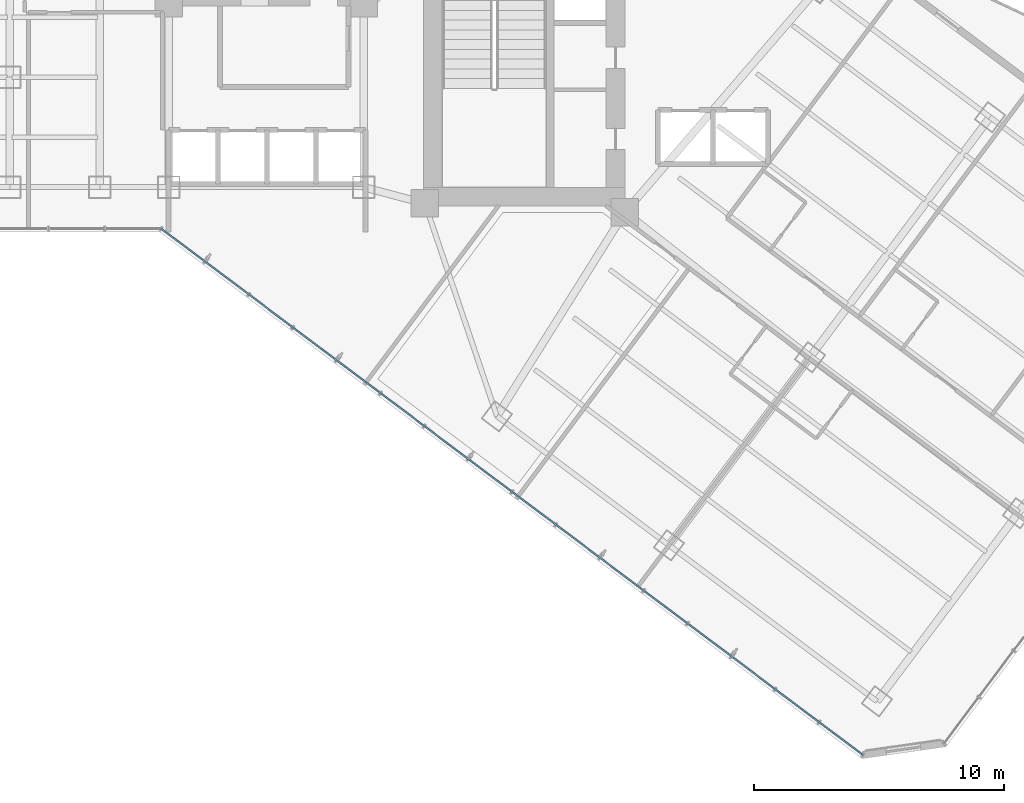
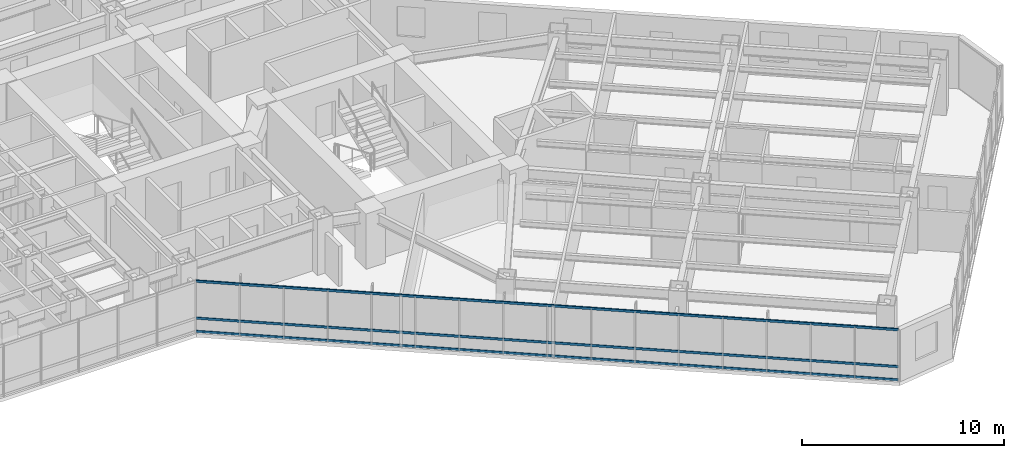
# One storey, part 3 of 36: 3 members, 1 element without a shape of its own.
"""IFC4 building model written with IfcOpenShell, lengths in metres."""

from ifc_helpers import new_model, si_unit, direction, frame, origin, origin_2d, place, context, subcontext, project, spatial, hollow_rectangle, extrude, material, layer, layer_set, material_profile, profile_set, type_object, element, aggregate, save


model = new_model("IFC4")

# Units and contexts
model_context = context("Model", 3, precision=1e-05, world=origin(), true_north=direction((0.0, 1.0)))
body_context = subcontext(model_context, "Body", "Model", "MODEL_VIEW")
ifc_project = project(units=[si_unit("LENGTHUNIT", "METRE"), si_unit("AREAUNIT", "SQUARE_METRE"), si_unit("VOLUMEUNIT", "CUBIC_METRE"), si_unit("PLANEANGLEUNIT", "RADIAN"), si_unit("MASSUNIT", "GRAM", prefix="KILO")], contexts=[model_context])

# Site, building, storey
site_placement = place(None, origin())
site = spatial("IfcSite", under=ifc_project, at=site_placement, CompositionType="ELEMENT")
building_placement = place(site_placement, origin())
building = spatial("IfcBuilding", under=site, at=building_placement, Name="Hatsunagi Terrace Concourse", CompositionType="ELEMENT")
storey_placement = place(building_placement, frame((0.0, 0.0, 84.64990234375)))
storey = spatial("IfcBuildingStorey", under=building, at=storey_placement, Name="L22", CompositionType="ELEMENT", Elevation=84.64990234375)

# Curtain wall, members
ifc_material_1 = material(Name="Anodised Aluminium Alloy 6063-T5", Category="aluminium")
ifc_layer = layer(ifc_material_1, 0.199951171875)
ifc_layer_set = layer_set([ifc_layer], Name="HotelFacade_CW02")
curtain_wall_type = type_object("IfcCurtainWallType", Name="HotelFacade_CW02", PredefinedType="NOTDEFINED", material=ifc_layer_set)
curtain_wall_placement = place(storey_placement, origin())
curtain_wall = element("IfcCurtainWall", 1, at=curtain_wall_placement, inside=storey, type_object=curtain_wall_type, Name="Unitised Curtain Wall CW-02 CW-L22-05", PredefinedType="NOTDEFINED")
ifc_material_2 = material(Name="Anodised Aluminium Alloy 6063-T5", Category="aluminium")
ifc_material_profile = material_profile(ifc_material_2, hollow_rectangle(XDim=0.06494140625, YDim=0.139892578125, WallThickness=0.00390625, at=origin_2d()), Name="ALU-TRN-140x65x4")
ifc_profile_set = profile_set([ifc_material_profile], Name="Anodised Aluminium Alloy 6063-T5")
member_type = type_object("IfcMemberType", Name="CurtainWallTransom_140x65", PredefinedType="USERDEFINED", material=ifc_profile_set)
member_1_placement = place(storey_placement, frame((53.318115234375, 2.487060546875, 0.050048828125), z_axis=(-0.800004174678, 0.599994433723, 0.0), x_axis=(-0.599994433723, -0.800004174678, 0.0)))
member_1 = element("IfcMember", 2, at=member_1_placement, type_object=member_type, Name="Curtain Wall Transom TRN-02", ObjectType="TRANSOM", PredefinedType="USERDEFINED", context=body_context, shape_type="SweptSolid", body=[
    extrude(hollow_rectangle(XDim=0.06494140625, YDim=0.139892578125, WallThickness=0.00390625, at=origin_2d()), origin(), (0.0, 0.0, 1.0), 35.088623046875),
])
member_2_placement = place(storey_placement, frame((53.318115234375, 2.487060546875, 0.85009765625), z_axis=(-0.800004174678, 0.599994433723, 0.0), x_axis=(-0.599994433723, -0.800004174678, 0.0)))
member_2 = element("IfcMember", 3, at=member_2_placement, type_object=member_type, Name="Curtain Wall Transom TRN-02", ObjectType="TRANSOM", PredefinedType="USERDEFINED", context=body_context, shape_type="SweptSolid", body=[
    extrude(hollow_rectangle(XDim=0.06494140625, YDim=0.139892578125, WallThickness=0.00390625, at=origin_2d()), origin(), (0.0, 0.0, 1.0), 35.088623046875),
])
member_3_placement = place(storey_placement, frame((53.318115234375, 2.487060546875, 3.080078125), z_axis=(-0.800004174678, 0.599994433723, 0.0), x_axis=(-0.599994433723, -0.800004174678, 0.0)))
member_3 = element("IfcMember", 4, at=member_3_placement, type_object=member_type, Name="Curtain Wall Transom TRN-02", ObjectType="TRANSOM", PredefinedType="USERDEFINED", context=body_context, shape_type="SweptSolid", body=[
    extrude(hollow_rectangle(XDim=0.06494140625, YDim=0.139892578125, WallThickness=0.00390625, at=origin_2d()), origin(), (0.0, 0.0, 1.0), 35.088623046875),
])
aggregate(curtain_wall, [member_1, member_2, member_3])

save(model, "model.ifc")
